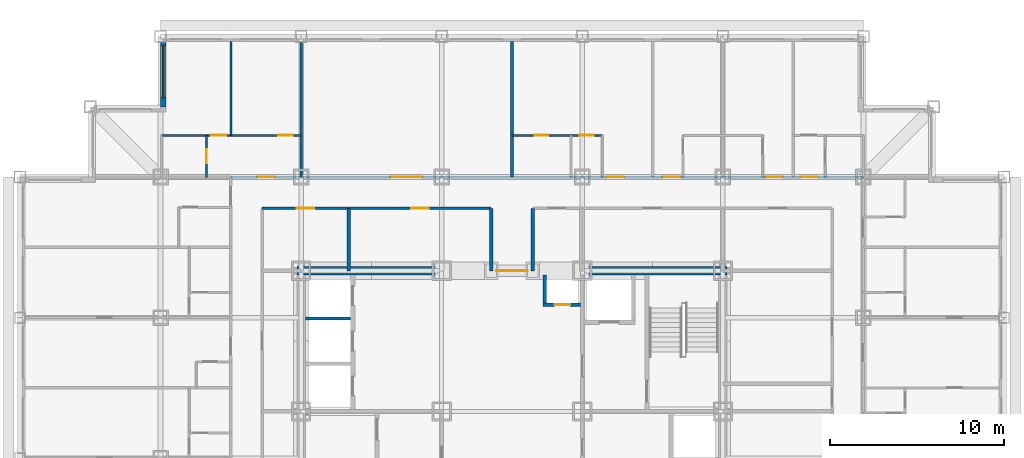
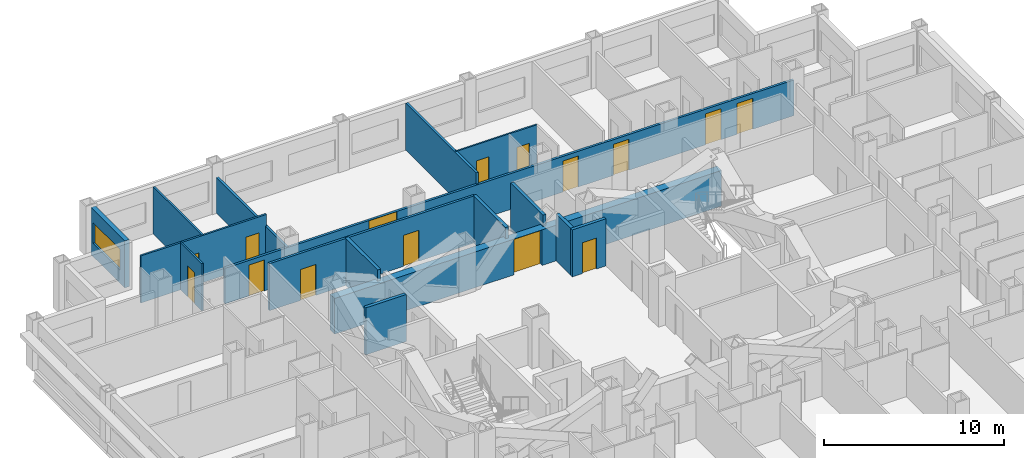
# One storey, part 9 of 12: 16 walls, 15 doors, 1 window, 16 openings.
"""IFC4 building model written with IfcOpenShell, lengths in metres."""

from ifc_helpers import new_model, si_unit, direction, frame, frame_2d, origin, place, context, subcontext, project, spatial, rectangle, extrude, material, layer, layer_set, type_object, element, fill, save


model = new_model("IFC4")

# Units and contexts
model_context = context("Model", 3, precision=1e-05, world=origin(), true_north=direction((0.0, 1.0)))
body_context = subcontext(model_context, "Body", "Model", "MODEL_VIEW")
ifc_project = project(units=[si_unit("LENGTHUNIT", "METRE"), si_unit("AREAUNIT", "SQUARE_METRE"), si_unit("VOLUMEUNIT", "CUBIC_METRE"), si_unit("PLANEANGLEUNIT", "RADIAN"), si_unit("MASSUNIT", "GRAM", prefix="KILO")], contexts=[model_context])

# Site, building, storey
site_placement = place(None, origin())
site = spatial("IfcSite", under=ifc_project, at=site_placement, CompositionType="ELEMENT")
building_placement = place(site_placement, origin())
building = spatial("IfcBuilding", under=site, at=building_placement, Name="Kopane Lantern Tower", CompositionType="ELEMENT")
storey_placement = place(building_placement, frame((0.0, 0.0, 147.60009765625)))
storey = spatial("IfcBuildingStorey", under=building, at=storey_placement, Name="L38", CompositionType="ELEMENT", Elevation=147.60009765625)

# Wall, openings, doors
ifc_material_1 = material(Name="Gypsum board on steel studs", Category="steel")
ifc_layer_1 = layer(ifc_material_1, 0.1201171875)
ifc_layer_set_1 = layer_set([ifc_layer_1], Name="APARTMENT INTERNAL WALL 120")
wall_type_1 = type_object("IfcWallType", Name="APARTMENT INTERNAL WALL 120", PredefinedType="PARTITIONING", material=ifc_layer_set_1)
wall_1_placement = place(storey_placement, frame((8.14990234375, 48.300048828125, 0.0), z_axis=(0.0, 0.0, 1.0), x_axis=(1.0, 0.0, 0.0)))
wall_1 = element("IfcWall", 1, at=wall_1_placement, inside=storey, type_object=wall_type_1, Name="Apartment Internal Wall 120 L38", PredefinedType="PARTITIONING", context=body_context, shape_type="SweptSolid", body=[
    extrude(rectangle(XDim=8.050048828125, YDim=0.1201171875, at=frame_2d((4.02490234375, 0.0))), origin(), (0.0, 0.0, 1.0), 3.18994140625),
])
opening_1_placement = place(wall_1_placement, frame((6.72509765625, 0.0, 0.0)))
opening_1 = element("IfcOpeningElement", 2, at=opening_1_placement, cuts=wall_1, Name="Opening L38-070", PredefinedType="OPENING", context=body_context, shape_type="SweptSolid", body=[
    extrude(rectangle(XDim=0.85009765625, YDim=2.10009765625, at=frame_2d((0.425048828125, 1.050048828125))), frame((0.0, 0.070068359375, 0.0), z_axis=(0.0, -1.0, 0.0), x_axis=(1.0, 0.0, 0.0)), (0.0, 0.0, 1.0), 0.14013671875),
])
opening_2_placement = place(wall_1_placement, frame((2.875, 0.0, 0.0)))
opening_2 = element("IfcOpeningElement", 3, at=opening_2_placement, cuts=wall_1, Name="Opening L38-072", PredefinedType="OPENING", context=body_context, shape_type="SweptSolid", body=[
    extrude(rectangle(XDim=0.85009765625, YDim=2.10009765625, at=frame_2d((0.425048828125, 1.050048828125))), frame((0.0, 0.070068359375, 0.0), z_axis=(0.0, -1.0, 0.0), x_axis=(1.0, 0.0, 0.0)), (0.0, 0.0, 1.0), 0.14013671875),
])
ifc_material_2 = material(Name="Timber door set", Category="wood")
door_type_1 = type_object("IfcDoorType", Name="DOOR D4 850x2100", OperationType="SINGLE_SWING_LEFT", PredefinedType="DOOR", material=ifc_material_2)
door_1_placement = place(opening_1_placement, origin())
door_1 = element("IfcDoor", 4, at=door_1_placement, inside=storey, type_object=door_type_1, Name="Door L38-070", OperationType="SINGLE_SWING_LEFT", OverallHeight=2.10009765625, OverallWidth=0.85009765625, PredefinedType="DOOR", context=body_context, shape_type="SweptSolid", body=[
    extrude(rectangle(XDim=0.85009765625, YDim=2.10009765625, at=frame_2d((0.425048828125, 1.050048828125))), frame((0.0, 0.02490234375, 0.0), z_axis=(0.0, -1.0, 0.0), x_axis=(1.0, 0.0, 0.0)), (0.0, 0.0, 1.0), 0.050048828125),
])
fill(opening_1, door_1)
door_2_placement = place(opening_2_placement, origin())
door_2 = element("IfcDoor", 5, at=door_2_placement, inside=storey, type_object=door_type_1, Name="Door L38-072", OperationType="SINGLE_SWING_RIGHT", OverallHeight=2.10009765625, OverallWidth=0.85009765625, PredefinedType="DOOR", context=body_context, shape_type="SweptSolid", body=[
    extrude(rectangle(XDim=0.85009765625, YDim=2.10009765625, at=frame_2d((0.425048828125, 1.050048828125))), frame((0.0, 0.02490234375, 0.0), z_axis=(0.0, -1.0, 0.0), x_axis=(1.0, 0.0, 0.0)), (0.0, 0.0, 1.0), 0.050048828125),
])
fill(opening_2, door_2)

# Wall
wall_2_placement = place(storey_placement, frame((12.14990234375, 48.300048828125, 0.0), z_axis=(0.0, 0.0, 1.0), x_axis=(0.0, 1.0, 0.0)))
element("IfcWall", 6, at=wall_2_placement, inside=storey, type_object=wall_type_1, Name="Apartment Internal Wall 120 L38", PredefinedType="PARTITIONING", context=body_context, shape_type="SweptSolid", body=[
    extrude(rectangle(XDim=5.39990234375, YDim=0.1201171875, at=frame_2d((2.699951171875, 0.0))), origin(), (0.0, 0.0, 1.0), 3.18994140625),
])

# Wall, openings, doors
ifc_material_3 = material(Name="Moisture-resistant board on steel studs", Category="steel")
ifc_layer_2 = layer(ifc_material_3, 0.10009765625)
ifc_layer_set_2 = layer_set([ifc_layer_2], Name="BATHROOM WALL 100")
wall_type_2 = type_object("IfcWallType", Name="BATHROOM WALL 100", PredefinedType="PARTITIONING", material=ifc_layer_set_2)
wall_3_placement = place(storey_placement, frame((28.35009765625, 48.300048828125, 0.0), z_axis=(0.0, 0.0, 1.0), x_axis=(1.0, 0.0, 0.0)))
wall_3 = element("IfcWall", 7, at=wall_3_placement, inside=storey, type_object=wall_type_2, Name="Bathroom Wall 100 L38", PredefinedType="PARTITIONING", context=body_context, shape_type="SweptSolid", body=[
    extrude(rectangle(XDim=5.199951171875, YDim=0.10009765625, at=frame_2d((2.60009765625, 0.0))), origin(), (0.0, 0.0, 1.0), 3.18994140625),
])
opening_3_placement = place(wall_3_placement, frame((1.300048828125, 0.0, 0.0)))
opening_3 = element("IfcOpeningElement", 8, at=opening_3_placement, cuts=wall_3, Name="Opening L38-027", PredefinedType="OPENING", context=body_context, shape_type="SweptSolid", body=[
    extrude(rectangle(XDim=0.800048828125, YDim=2.10009765625, at=frame_2d((0.39990234375, 1.050048828125))), frame((0.0, 0.06005859375, 0.0), z_axis=(0.0, -1.0, 0.0), x_axis=(1.0, 0.0, 0.0)), (0.0, 0.0, 1.0), 0.1201171875),
])
opening_4_placement = place(wall_3_placement, frame((3.89990234375, 0.0, 0.0)))
opening_4 = element("IfcOpeningElement", 9, at=opening_4_placement, cuts=wall_3, Name="Opening L38-028", PredefinedType="OPENING", context=body_context, shape_type="SweptSolid", body=[
    extrude(rectangle(XDim=0.800048828125, YDim=2.10009765625, at=frame_2d((0.39990234375, 1.050048828125))), frame((0.0, 0.06005859375, 0.0), z_axis=(0.0, -1.0, 0.0), x_axis=(1.0, 0.0, 0.0)), (0.0, 0.0, 1.0), 0.1201171875),
])
ifc_material_4 = material(Name="Timber door set", Category="wood")
door_type_2 = type_object("IfcDoorType", Name="DOOR D2 800x2100", OperationType="SINGLE_SWING_LEFT", PredefinedType="DOOR", material=ifc_material_4)
door_3_placement = place(opening_3_placement, origin())
door_3 = element("IfcDoor", 10, at=door_3_placement, inside=storey, type_object=door_type_2, Name="Door L38-027", OperationType="SINGLE_SWING_LEFT", OverallHeight=2.10009765625, OverallWidth=0.800048828125, PredefinedType="DOOR", context=body_context, shape_type="SweptSolid", body=[
    extrude(rectangle(XDim=0.800048828125, YDim=2.10009765625, at=frame_2d((0.39990234375, 1.050048828125))), frame((0.0, 0.02490234375, 0.0), z_axis=(0.0, -1.0, 0.0), x_axis=(1.0, 0.0, 0.0)), (0.0, 0.0, 1.0), 0.050048828125),
])
fill(opening_3, door_3)
door_4_placement = place(opening_4_placement, origin())
door_4 = element("IfcDoor", 11, at=door_4_placement, inside=storey, type_object=door_type_2, Name="Door L38-028", OperationType="SINGLE_SWING_LEFT", OverallHeight=2.10009765625, OverallWidth=0.800048828125, PredefinedType="DOOR", context=body_context, shape_type="SweptSolid", body=[
    extrude(rectangle(XDim=0.800048828125, YDim=2.10009765625, at=frame_2d((0.39990234375, 1.050048828125))), frame((0.0, 0.02490234375, 0.0), z_axis=(0.0, -1.0, 0.0), x_axis=(1.0, 0.0, 0.0)), (0.0, 0.0, 1.0), 0.050048828125),
])
fill(opening_4, door_4)

# Wall, opening, door
wall_4_placement = place(storey_placement, frame((10.75, 45.89990234375, 0.0), z_axis=(0.0, 0.0, 1.0), x_axis=(0.0, 1.0, 0.0)))
wall_4 = element("IfcWall", 12, at=wall_4_placement, inside=storey, type_object=wall_type_2, Name="Bathroom Wall 100 L38", PredefinedType="PARTITIONING", context=body_context, shape_type="SweptSolid", body=[
    extrude(rectangle(XDim=2.400146484375, YDim=0.10009765625, at=frame_2d((1.2001953125, 0.0))), origin(), (0.0, 0.0, 1.0), 3.18994140625),
])
opening_5_placement = place(wall_4_placement, frame((0.800048828125, 0.0, 0.0)))
opening_5 = element("IfcOpeningElement", 13, at=opening_5_placement, cuts=wall_4, Name="Opening L38-071", PredefinedType="OPENING", context=body_context, shape_type="SweptSolid", body=[
    extrude(rectangle(XDim=0.800048828125, YDim=2.10009765625, at=frame_2d((0.39990234375, 1.050048828125))), frame((0.0, 0.06005859375, 0.0), z_axis=(0.0, -1.0, 0.0), x_axis=(1.0, 0.0, 0.0)), (0.0, 0.0, 1.0), 0.1201171875),
])
door_5_placement = place(opening_5_placement, origin())
door_5 = element("IfcDoor", 14, at=door_5_placement, inside=storey, type_object=door_type_2, Name="Door L38-071", OperationType="SINGLE_SWING_LEFT", OverallHeight=2.10009765625, OverallWidth=0.800048828125, PredefinedType="DOOR", context=body_context, shape_type="SweptSolid", body=[
    extrude(rectangle(XDim=0.800048828125, YDim=2.10009765625, at=frame_2d((0.39990234375, 1.050048828125))), frame((0.0, 0.02490234375, 0.0), z_axis=(0.0, -1.0, 0.0), x_axis=(1.0, 0.0, 0.0)), (0.0, 0.0, 1.0), 0.050048828125),
])
fill(opening_5, door_5)

ifc_material_5 = material(Name="Gypsum shaft wall EI 120", Category="gypsum")
ifc_layer_3 = layer(ifc_material_5, 0.5)
ifc_layer_set_3 = layer_set([ifc_layer_3], Name="CORE PERIMETER WALL 500 EI 120")
wall_type_3 = type_object("IfcWallType", Name="CORE PERIMETER WALL 500 EI 120", PredefinedType="SOLIDWALL", material=ifc_layer_set_3)
wall_5_placement = place(storey_placement, frame((15.949951171875, 40.5, 0.0), z_axis=(0.0, 0.0, 1.0), x_axis=(1.0, 0.0, 0.0)))
wall_5 = element("IfcWall", 15, at=wall_5_placement, inside=storey, type_object=wall_type_3, Name="Core shaft wall L38 PN", PredefinedType="SOLIDWALL", context=body_context, shape_type="SweptSolid", body=[
    extrude(rectangle(XDim=24.800048828125, YDim=0.5, at=frame_2d((12.39990234375, 0.0))), origin(), (0.0, 0.0, 1.0), 2.420166015625),
])
opening_6_placement = place(wall_5_placement, frame((11.5, 0.0, 0.0)))
opening_6 = element("IfcOpeningElement", 16, at=opening_6_placement, cuts=wall_5, Name="Opening 38.CE-N", PredefinedType="OPENING", context=body_context, shape_type="SweptSolid", body=[
    extrude(rectangle(XDim=1.800048828125, YDim=2.39990234375, at=frame_2d((0.89990234375, 1.199951171875))), frame((0.0, 0.260009765625, 0.0), z_axis=(0.0, -1.0, 0.0), x_axis=(1.0, 0.0, 0.0)), (0.0, 0.0, 1.0), 0.52001953125),
])
ifc_material_6 = material(Name="Steel door set", Category="steel")
door_type_3 = type_object("IfcDoorType", Name="CORE ENTRY DOOR 1800x2400 FD60S", OperationType="DOUBLE_DOOR_SINGLE_SWING", PredefinedType="DOOR", material=ifc_material_6)
door_6_placement = place(opening_6_placement, origin())
door_6 = element("IfcDoor", 17, at=door_6_placement, inside=storey, type_object=door_type_3, Name="Core entry door L38 north", OperationType="DOUBLE_DOOR_SINGLE_SWING", OverallHeight=2.39990234375, OverallWidth=1.800048828125, PredefinedType="DOOR", context=body_context, shape_type="SweptSolid", body=[
    extrude(rectangle(XDim=1.800048828125, YDim=2.39990234375, at=frame_2d((0.89990234375, 1.199951171875))), frame((0.0, 0.02490234375, 0.0), z_axis=(0.0, -1.0, 0.0), x_axis=(1.0, 0.0, 0.0)), (0.0, 0.0, 1.0), 0.050048828125),
])
fill(opening_6, door_6)

# Wall, openings, doors
ifc_material_7 = material(Name="Gypsum board on steel studs", Category="steel")
ifc_layer_4 = layer(ifc_material_7, 0.14990234375)
ifc_layer_set_4 = layer_set([ifc_layer_4], Name="CORRIDOR WALL 150 EI 60")
wall_type_4 = type_object("IfcWallType", Name="CORRIDOR WALL 150 EI 60", PredefinedType="PARTITIONING", material=ifc_layer_set_4)
wall_6_placement = place(storey_placement, frame((12.14990234375, 45.89990234375, 0.0), z_axis=(0.0, 0.0, 1.0), x_axis=(1.0, 0.0, 0.0)))
wall_6 = element("IfcWall", 18, at=wall_6_placement, inside=storey, type_object=wall_type_4, Name="Corridor Wall 150 Ei 60 L38", PredefinedType="PARTITIONING", context=body_context, shape_type="SweptSolid", body=[
    extrude(rectangle(XDim=36.4501953125, YDim=0.14990234375, at=frame_2d((18.22509765625, 0.0))), origin(), (0.0, 0.0, 1.0), 2.420166015625),
])
opening_7_placement = place(wall_6_placement, frame((9.22509765625, 0.0, 0.0)))
opening_7 = element("IfcOpeningElement", 19, at=opening_7_placement, cuts=wall_6, Name="Opening L38-026", PredefinedType="OPENING", context=body_context, shape_type="SweptSolid", body=[
    extrude(rectangle(XDim=1.800048828125, YDim=2.39990234375, at=frame_2d((0.89990234375, 1.199951171875))), frame((0.0, 0.0849609375, 0.0), z_axis=(0.0, -1.0, 0.0), x_axis=(1.0, 0.0, 0.0)), (0.0, 0.0, 1.0), 0.169921875),
])
opening_8_placement = place(wall_6_placement, frame((21.64990234375, 0.0, 0.0)))
opening_8 = element("IfcOpeningElement", 20, at=opening_8_placement, cuts=wall_6, Name="Opening L38-029", PredefinedType="OPENING", context=body_context, shape_type="SweptSolid", body=[
    extrude(rectangle(XDim=1.0, YDim=2.10009765625, at=frame_2d((0.5, 1.050048828125))), frame((0.0, 0.0849609375, 0.0), z_axis=(0.0, -1.0, 0.0), x_axis=(1.0, 0.0, 0.0)), (0.0, 0.0, 1.0), 0.169921875),
])
opening_9_placement = place(wall_6_placement, frame((24.89990234375, 0.0, 0.0)))
opening_9 = element("IfcOpeningElement", 21, at=opening_9_placement, cuts=wall_6, Name="Opening L38-031", PredefinedType="OPENING", context=body_context, shape_type="SweptSolid", body=[
    extrude(rectangle(XDim=1.0, YDim=2.10009765625, at=frame_2d((0.5, 1.050048828125))), frame((0.0, 0.0849609375, 0.0), z_axis=(0.0, -1.0, 0.0), x_axis=(1.0, 0.0, 0.0)), (0.0, 0.0, 1.0), 0.169921875),
])
opening_10_placement = place(wall_6_placement, frame((30.800048828125, 0.0, 0.0)))
opening_10 = element("IfcOpeningElement", 22, at=opening_10_placement, cuts=wall_6, Name="Opening L38-033", PredefinedType="OPENING", context=body_context, shape_type="SweptSolid", body=[
    extrude(rectangle(XDim=1.0, YDim=2.10009765625, at=frame_2d((0.5, 1.050048828125))), frame((0.0, 0.0849609375, 0.0), z_axis=(0.0, -1.0, 0.0), x_axis=(1.0, 0.0, 0.0)), (0.0, 0.0, 1.0), 0.169921875),
])
opening_11_placement = place(wall_6_placement, frame((32.824951171875, 0.0, 0.0)))
opening_11 = element("IfcOpeningElement", 23, at=opening_11_placement, cuts=wall_6, Name="Opening L38-067", PredefinedType="OPENING", context=body_context, shape_type="SweptSolid", body=[
    extrude(rectangle(XDim=1.0, YDim=2.10009765625, at=frame_2d((0.5, 1.050048828125))), frame((0.0, 0.0849609375, 0.0), z_axis=(0.0, -1.0, 0.0), x_axis=(1.0, 0.0, 0.0)), (0.0, 0.0, 1.0), 0.169921875),
])
opening_12_placement = place(wall_6_placement, frame((1.52490234375, 0.0, 0.0)))
opening_12 = element("IfcOpeningElement", 24, at=opening_12_placement, cuts=wall_6, Name="Opening L38-069", PredefinedType="OPENING", context=body_context, shape_type="SweptSolid", body=[
    extrude(rectangle(XDim=1.0, YDim=2.10009765625, at=frame_2d((0.5, 1.050048828125))), frame((0.0, 0.0849609375, 0.0), z_axis=(0.0, -1.0, 0.0), x_axis=(1.0, 0.0, 0.0)), (0.0, 0.0, 1.0), 0.169921875),
])
ifc_material_8 = material(Name="Steel door set", Category="steel")
door_type_4 = type_object("IfcDoorType", Name="DOOR D1 1000x2100 FD30S", OperationType="SINGLE_SWING_LEFT", PredefinedType="DOOR", material=ifc_material_8)
door_7_placement = place(opening_8_placement, origin())
door_7 = element("IfcDoor", 25, at=door_7_placement, inside=storey, type_object=door_type_4, Name="Door L38-029", OperationType="SINGLE_SWING_LEFT", OverallHeight=2.10009765625, OverallWidth=1.0, PredefinedType="DOOR", context=body_context, shape_type="SweptSolid", body=[
    extrude(rectangle(XDim=1.0, YDim=2.10009765625, at=frame_2d((0.5, 1.050048828125))), frame((0.0, 0.02490234375, 0.0), z_axis=(0.0, -1.0, 0.0), x_axis=(1.0, 0.0, 0.0)), (0.0, 0.0, 1.0), 0.050048828125),
])
fill(opening_8, door_7)
door_8_placement = place(opening_9_placement, origin())
door_8 = element("IfcDoor", 26, at=door_8_placement, inside=storey, type_object=door_type_4, Name="Door L38-031", OperationType="SINGLE_SWING_RIGHT", OverallHeight=2.10009765625, OverallWidth=1.0, PredefinedType="DOOR", context=body_context, shape_type="SweptSolid", body=[
    extrude(rectangle(XDim=1.0, YDim=2.10009765625, at=frame_2d((0.5, 1.050048828125))), frame((0.0, 0.02490234375, 0.0), z_axis=(0.0, -1.0, 0.0), x_axis=(1.0, 0.0, 0.0)), (0.0, 0.0, 1.0), 0.050048828125),
])
fill(opening_9, door_8)
door_9_placement = place(opening_10_placement, origin())
door_9 = element("IfcDoor", 27, at=door_9_placement, inside=storey, type_object=door_type_4, Name="Door L38-033", OperationType="SINGLE_SWING_LEFT", OverallHeight=2.10009765625, OverallWidth=1.0, PredefinedType="DOOR", context=body_context, shape_type="SweptSolid", body=[
    extrude(rectangle(XDim=1.0, YDim=2.10009765625, at=frame_2d((0.5, 1.050048828125))), frame((0.0, 0.02490234375, 0.0), z_axis=(0.0, -1.0, 0.0), x_axis=(1.0, 0.0, 0.0)), (0.0, 0.0, 1.0), 0.050048828125),
])
fill(opening_10, door_9)
door_10_placement = place(opening_11_placement, origin())
door_10 = element("IfcDoor", 28, at=door_10_placement, inside=storey, type_object=door_type_4, Name="Door L38-067", OperationType="SINGLE_SWING_LEFT", OverallHeight=2.10009765625, OverallWidth=1.0, PredefinedType="DOOR", context=body_context, shape_type="SweptSolid", body=[
    extrude(rectangle(XDim=1.0, YDim=2.10009765625, at=frame_2d((0.5, 1.050048828125))), frame((0.0, 0.02490234375, 0.0), z_axis=(0.0, -1.0, 0.0), x_axis=(1.0, 0.0, 0.0)), (0.0, 0.0, 1.0), 0.050048828125),
])
fill(opening_11, door_10)
door_11_placement = place(opening_12_placement, origin())
door_11 = element("IfcDoor", 29, at=door_11_placement, inside=storey, type_object=door_type_4, Name="Door L38-069", OperationType="SINGLE_SWING_RIGHT", OverallHeight=2.10009765625, OverallWidth=1.0, PredefinedType="DOOR", context=body_context, shape_type="SweptSolid", body=[
    extrude(rectangle(XDim=1.0, YDim=2.10009765625, at=frame_2d((0.5, 1.050048828125))), frame((0.0, 0.02490234375, 0.0), z_axis=(0.0, -1.0, 0.0), x_axis=(1.0, 0.0, 0.0)), (0.0, 0.0, 1.0), 0.050048828125),
])
fill(opening_12, door_11)
ifc_material_9 = material(Name="Steel door set", Category="steel")
door_type_5 = type_object("IfcDoorType", Name="DOOR D6 1800x2400 FD30S", OperationType="SINGLE_SWING_LEFT", PredefinedType="DOOR", material=ifc_material_9)
door_12_placement = place(opening_7_placement, origin())
door_12 = element("IfcDoor", 30, at=door_12_placement, inside=storey, type_object=door_type_5, Name="Door L38-026", OperationType="DOUBLE_DOOR_SINGLE_SWING", OverallHeight=2.39990234375, OverallWidth=1.800048828125, PredefinedType="DOOR", context=body_context, shape_type="SweptSolid", body=[
    extrude(rectangle(XDim=1.800048828125, YDim=2.39990234375, at=frame_2d((0.89990234375, 1.199951171875))), frame((0.0, 0.02490234375, 0.0), z_axis=(0.0, -1.0, 0.0), x_axis=(1.0, 0.0, 0.0)), (0.0, 0.0, 1.0), 0.050048828125),
])
fill(opening_7, door_12)

wall_7_placement = place(storey_placement, frame((27.139892578125, 44.10009765625, 0.0), z_axis=(0.0, 0.0, 1.0), x_axis=(-1.0, 0.0, 0.0)))
wall_7 = element("IfcWall", 31, at=wall_7_placement, inside=storey, type_object=wall_type_4, Name="Corridor Wall 150 Ei 60 L38", PredefinedType="PARTITIONING", context=body_context, shape_type="SweptSolid", body=[
    extrude(rectangle(XDim=13.18994140625, YDim=0.14990234375, at=frame_2d((6.594970703125, 0.0))), origin(), (0.0, 0.0, 1.0), 3.18994140625),
])
opening_13_placement = place(wall_7_placement, frame((10.18994140625, 0.0, 0.0)))
opening_13 = element("IfcOpeningElement", 32, at=opening_13_placement, cuts=wall_7, Name="Opening L38-007", PredefinedType="OPENING", context=body_context, shape_type="SweptSolid", body=[
    extrude(rectangle(XDim=1.0, YDim=2.10009765625, at=frame_2d((0.5, 1.050048828125))), frame((0.0, 0.0849609375, 0.0), z_axis=(0.0, -1.0, 0.0), x_axis=(1.0, 0.0, 0.0)), (0.0, 0.0, 1.0), 0.169921875),
])
opening_14_placement = place(wall_7_placement, frame((3.590087890625, 0.0, 0.0)))
opening_14 = element("IfcOpeningElement", 33, at=opening_14_placement, cuts=wall_7, Name="Opening L38-008", PredefinedType="OPENING", context=body_context, shape_type="SweptSolid", body=[
    extrude(rectangle(XDim=1.0, YDim=2.10009765625, at=frame_2d((0.5, 1.050048828125))), frame((0.0, 0.0849609375, 0.0), z_axis=(0.0, -1.0, 0.0), x_axis=(1.0, 0.0, 0.0)), (0.0, 0.0, 1.0), 0.169921875),
])
ifc_material_10 = material(Name="Steel door set", Category="steel")
door_type_6 = type_object("IfcDoorType", Name="DOOR D5 1000x2100 FD60", OperationType="SINGLE_SWING_LEFT", PredefinedType="DOOR", material=ifc_material_10)
door_13_placement = place(opening_13_placement, origin())
door_13 = element("IfcDoor", 34, at=door_13_placement, inside=storey, type_object=door_type_6, Name="Door L38-007", OperationType="SINGLE_SWING_RIGHT", OverallHeight=2.10009765625, OverallWidth=1.0, PredefinedType="DOOR", context=body_context, shape_type="SweptSolid", body=[
    extrude(rectangle(XDim=1.0, YDim=2.10009765625, at=frame_2d((0.5, 1.050048828125))), frame((0.0, 0.02490234375, 0.0), z_axis=(0.0, -1.0, 0.0), x_axis=(1.0, 0.0, 0.0)), (0.0, 0.0, 1.0), 0.050048828125),
])
fill(opening_13, door_13)
door_14_placement = place(opening_14_placement, origin())
door_14 = element("IfcDoor", 35, at=door_14_placement, inside=storey, type_object=door_type_6, Name="Door L38-008", OperationType="SINGLE_SWING_LEFT", OverallHeight=2.10009765625, OverallWidth=1.0, PredefinedType="DOOR", context=body_context, shape_type="SweptSolid", body=[
    extrude(rectangle(XDim=1.0, YDim=2.10009765625, at=frame_2d((0.5, 1.050048828125))), frame((0.0, 0.02490234375, 0.0), z_axis=(0.0, -1.0, 0.0), x_axis=(1.0, 0.0, 0.0)), (0.0, 0.0, 1.0), 0.050048828125),
])
fill(opening_14, door_14)

# Walls
ifc_material_11 = material(Name="Gypsum board on steel studs", Category="steel")
ifc_layer_5 = layer(ifc_material_11, 0.14990234375)
ifc_layer_set_5 = layer_set([ifc_layer_5], Name="DEMISING WALL 150 EI 60")
wall_type_5 = type_object("IfcWallType", Name="DEMISING WALL 150 EI 60", PredefinedType="PARTITIONING", material=ifc_layer_set_5)
wall_8_placement = place(storey_placement, frame((28.35009765625, 45.89990234375, 0.0), z_axis=(0.0, 0.0, 1.0), x_axis=(0.0, 1.0, 0.0)))
element("IfcWall", 36, at=wall_8_placement, inside=storey, type_object=wall_type_5, Name="Demising Wall 150 Ei 60 L38", PredefinedType="PARTITIONING", context=body_context, shape_type="SweptSolid", body=[
    extrude(rectangle(XDim=7.800048828125, YDim=0.14990234375, at=frame_2d((3.89990234375, 0.0))), origin(), (0.0, 0.0, 1.0), 3.18994140625),
])
wall_9_placement = place(storey_placement, frame((16.199951171875, 45.89990234375, 0.0), z_axis=(0.0, 0.0, 1.0), x_axis=(0.0, 1.0, 0.0)))
element("IfcWall", 37, at=wall_9_placement, inside=storey, type_object=wall_type_5, Name="Demising Wall 150 Ei 60 L38", PredefinedType="PARTITIONING", context=body_context, shape_type="SweptSolid", body=[
    extrude(rectangle(XDim=7.800048828125, YDim=0.14990234375, at=frame_2d((3.89990234375, 0.0))), origin(), (0.0, 0.0, 1.0), 2.420166015625),
])

# Wall, opening, window
ifc_material_12 = material(Name="Terracotta rainscreen on light steel framing", Category="masonry")
ifc_layer_6 = layer(ifc_material_12, 0.300048828125)
ifc_layer_set_6 = layer_set([ifc_layer_6], Name="EXTERNAL WALL EW1 300 TERRACOTTA")
wall_type_6 = type_object("IfcWallType", Name="EXTERNAL WALL EW1 300 TERRACOTTA", PredefinedType="SOLIDWALL", material=ifc_layer_set_6)
wall_10_placement = place(storey_placement, frame((8.25, 53.699951171875, 0.0), z_axis=(0.0, 0.0, 1.0), x_axis=(0.0, -1.0, 0.0)))
wall_10 = element("IfcWall", 38, at=wall_10_placement, inside=storey, type_object=wall_type_6, Name="External wall W L38", PredefinedType="SOLIDWALL", context=body_context, shape_type="SweptSolid", body=[
    extrude(rectangle(XDim=3.75, YDim=0.300048828125, at=frame_2d((1.875, 0.0))), origin(), (0.0, 0.0, 1.0), 3.18994140625),
])
opening_15_placement = place(wall_10_placement, frame((0.22509765625, 0.0, 0.89990234375)))
opening_15 = element("IfcOpeningElement", 39, at=opening_15_placement, cuts=wall_10, Name="Opening WR300140", PredefinedType="OPENING", context=body_context, shape_type="SweptSolid", body=[
    extrude(rectangle(XDim=3.0, YDim=1.39990234375, at=frame_2d((1.5, 0.699951171875))), frame((0.0, 0.159912109375, 0.0), z_axis=(0.0, -1.0, 0.0), x_axis=(1.0, 0.0, 0.0)), (0.0, 0.0, 1.0), 0.320068359375),
])
ifc_material_13 = material(Name="Aluminium and clear glass", Category="aluminium")
window_type = type_object("IfcWindowType", Name="RIBBON WINDOW WR300140 3000x1400", PartitioningType="SINGLE_PANEL", PredefinedType="WINDOW", material=ifc_material_13)
window_placement = place(opening_15_placement, origin())
window = element("IfcWindow", 40, at=window_placement, inside=storey, type_object=window_type, Name="Window W L38", OverallHeight=1.39990234375, OverallWidth=3.0, PartitioningType="SINGLE_PANEL", PredefinedType="WINDOW", context=body_context, shape_type="SweptSolid", body=[
    extrude(rectangle(XDim=3.0, YDim=1.39990234375, at=frame_2d((1.5, 0.699951171875))), frame((0.0, 0.030029296875, 0.0), z_axis=(0.0, -1.0, 0.0), x_axis=(1.0, 0.0, 0.0)), (0.0, 0.0, 1.0), 0.06005859375),
])
fill(opening_15, window)

# Walls
ifc_material_14 = material(Name="Concrete masonry", Category="masonry")
ifc_layer_7 = layer(ifc_material_14, 0.199951171875)
ifc_layer_set_7 = layer_set([ifc_layer_7], Name="PLANT ROOM WALL 200 EI 120")
wall_type_7 = type_object("IfcWallType", Name="PLANT ROOM WALL 200 EI 120", PredefinedType="SOLIDWALL", material=ifc_layer_set_7)
for number, where, z_axis, x_axis, name in (
    (41, (18.949951171875, 44.10009765625, 0.0), (0.0, 0.0, 1.0), (0.0, -1.0, 0.0), "Plant Room Wall 200 Ei 120 L38"),
    (42, (27.14990234375, 40.5, 0.0), (0.0, 0.0, 1.0), (0.0, 1.0, 0.0), "Plant Room Wall 200 Ei 120 L38"),
    (43, (29.550048828125, 40.5, 0.0), (0.0, 0.0, 1.0), (0.0, 1.0, 0.0), "Plant Room Wall 200 Ei 120 L38"),
):
    element("IfcWall", number, at=place(storey_placement, frame(where, z_axis=z_axis, x_axis=x_axis)), inside=storey, type_object=wall_type_7, Name=name, PredefinedType="SOLIDWALL", context=body_context, shape_type="SweptSolid", body=[
        extrude(rectangle(XDim=3.60009765625, YDim=0.199951171875, at=frame_2d((1.800048828125, 0.0))), origin(), (0.0, 0.0, 1.0), 3.18994140625),
    ])
ifc_material_15 = material(Name="Gypsum shaft wall EI 120", Category="gypsum")
ifc_layer_8 = layer(ifc_material_15, 0.199951171875)
ifc_layer_set_8 = layer_set([ifc_layer_8], Name="SHAFT WALL 200 EI 120")
wall_type_8 = type_object("IfcWallType", Name="SHAFT WALL 200 EI 120", PredefinedType="SOLIDWALL", material=ifc_layer_set_8)
wall_11_placement = place(storey_placement, frame((16.449951171875, 37.75, 0.0), z_axis=(0.0, 0.0, 1.0), x_axis=(1.0, 0.0, 0.0)))
element("IfcWall", 44, at=wall_11_placement, inside=storey, type_object=wall_type_8, Name="Core shaft wall L38 YLH23", PredefinedType="SOLIDWALL", context=body_context, shape_type="SweptSolid", body=[
    extrude(rectangle(XDim=2.60009765625, YDim=0.199951171875, at=frame_2d((1.300048828125, 0.0))), origin(), (0.0, 0.0, 1.0), 3.18994140625),
])
wall_12_placement = place(storey_placement, frame((30.25, 38.64990234375, 0.0), z_axis=(0.0, 0.0, 1.0), x_axis=(0.0, 1.0, 0.0)))
element("IfcWall", 45, at=wall_12_placement, inside=storey, type_object=wall_type_8, Name="Core shaft wall L38 XRS2", PredefinedType="SOLIDWALL", context=body_context, shape_type="SweptSolid", body=[
    extrude(rectangle(XDim=1.60009765625, YDim=0.199951171875, at=frame_2d((0.800048828125, 0.0))), origin(), (0.0, 0.0, 1.0), 3.18994140625),
])

# Wall, opening, door
wall_13_placement = place(storey_placement, frame((30.14990234375, 38.550048828125, 0.0), z_axis=(0.0, 0.0, 1.0), x_axis=(1.0, 0.0, 0.0)))
wall_13 = element("IfcWall", 46, at=wall_13_placement, inside=storey, type_object=wall_type_8, Name="Core shaft wall L38 YRS2", PredefinedType="SOLIDWALL", context=body_context, shape_type="SweptSolid", body=[
    extrude(rectangle(XDim=2.150146484375, YDim=0.199951171875, at=frame_2d((1.0751953125, 0.0))), origin(), (0.0, 0.0, 1.0), 3.18994140625),
])
opening_16_placement = place(wall_13_placement, frame((0.64990234375, 0.0, 0.0)))
opening_16 = element("IfcOpeningElement", 47, at=opening_16_placement, cuts=wall_13, Name="Opening 38.RS2", PredefinedType="OPENING", context=body_context, shape_type="SweptSolid", body=[
    extrude(rectangle(XDim=0.89990234375, YDim=2.10009765625, at=frame_2d((0.449951171875, 1.050048828125))), frame((0.0, 0.10986328125, 0.0), z_axis=(0.0, -1.0, 0.0), x_axis=(1.0, 0.0, 0.0)), (0.0, 0.0, 1.0), 0.219970703125),
])
ifc_material_16 = material(Name="Steel door set", Category="steel")
door_type_7 = type_object("IfcDoorType", Name="RISER ACCESS DOOR 900x2100 FD60", OperationType="SINGLE_SWING_LEFT", PredefinedType="DOOR", material=ifc_material_16)
door_15_placement = place(opening_16_placement, origin())
door_15 = element("IfcDoor", 48, at=door_15_placement, inside=storey, type_object=door_type_7, Name="Riser access door RS2 L38", OperationType="SINGLE_SWING_LEFT", OverallHeight=2.10009765625, OverallWidth=0.89990234375, PredefinedType="DOOR", context=body_context, shape_type="SweptSolid", body=[
    extrude(rectangle(XDim=0.89990234375, YDim=2.10009765625, at=frame_2d((0.449951171875, 1.050048828125))), frame((0.0, 0.02490234375, 0.0), z_axis=(0.0, -1.0, 0.0), x_axis=(1.0, 0.0, 0.0)), (0.0, 0.0, 1.0), 0.050048828125),
])
fill(opening_16, door_15)

save(model, "model.ifc")
